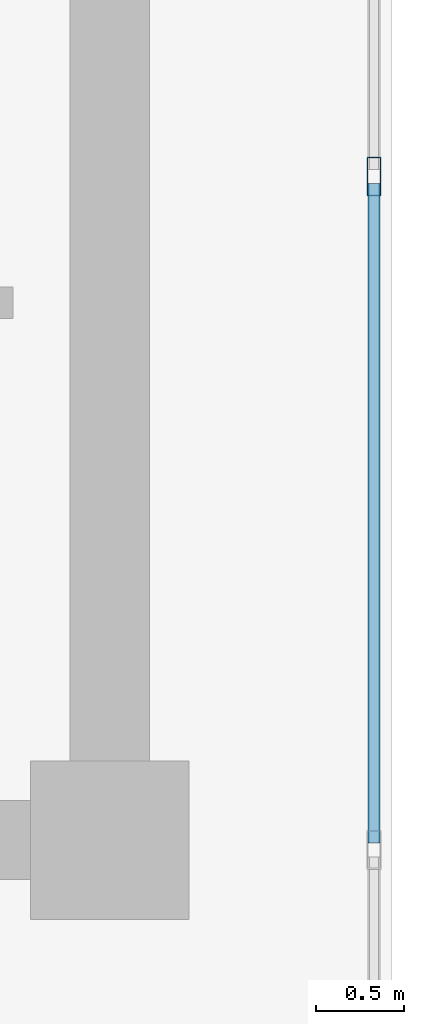
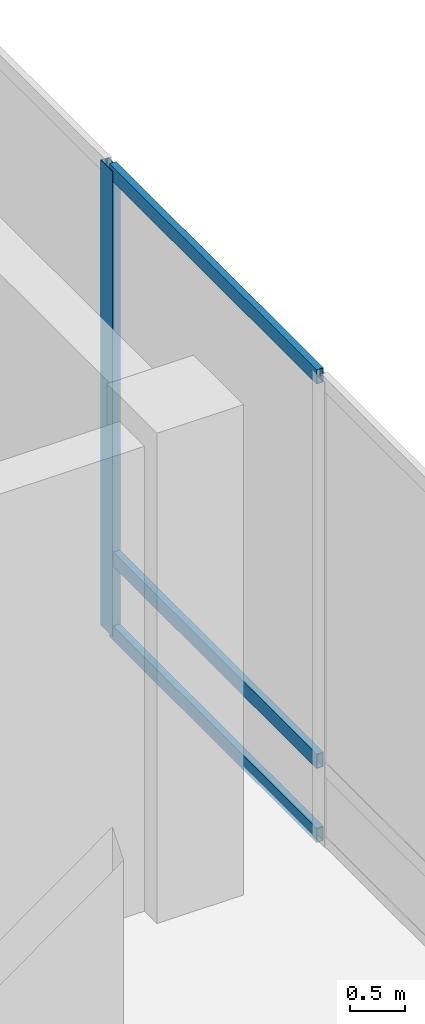
# One storey, part 15 of 30: 4 members, 1 element without a shape of its own.
"""IFC4 building model written with IfcOpenShell, lengths in metres."""

from ifc_helpers import new_model, si_unit, direction, frame, origin, origin_2d, place, context, subcontext, project, spatial, hollow_rectangle, extrude, source, transform, mapped, material, layer, layer_set, material_profile, profile_set, type_object, type_shapes, element, aggregate, save


model = new_model("IFC4")

# Units and contexts
model_context = context("Model", 3, precision=1e-05, world=origin(), true_north=direction((0.0, 1.0)))
body_context = subcontext(model_context, "Body", "Model", "MODEL_VIEW")
ifc_project = project(units=[si_unit("LENGTHUNIT", "METRE"), si_unit("AREAUNIT", "SQUARE_METRE"), si_unit("VOLUMEUNIT", "CUBIC_METRE"), si_unit("PLANEANGLEUNIT", "RADIAN"), si_unit("MASSUNIT", "GRAM", prefix="KILO")], contexts=[model_context])

# Site, building, storey
site_placement = place(None, origin())
site = spatial("IfcSite", under=ifc_project, at=site_placement, CompositionType="ELEMENT")
building_placement = place(site_placement, origin())
building = spatial("IfcBuilding", under=site, at=building_placement, Name="Haelvirn Gate Laboratories", CompositionType="ELEMENT")
storey_placement = place(building_placement, frame((0.0, 0.0, 327.0)))
storey = spatial("IfcBuildingStorey", under=building, at=storey_placement, Name="L78", CompositionType="ELEMENT", Elevation=327.0)

# Curtain wall, members
ifc_material_1 = material(Name="Anodised bronze unitised aluminium & triple low-E glass", Category="aluminium")
ifc_layer = layer(ifc_material_1, 0.19189453125, Name="CW-SYS-6")
ifc_layer_set = layer_set([ifc_layer], Name="Anodised bronze unitised aluminium & triple low-E glass")
curtain_wall_type = type_object("IfcCurtainWallType", Name="CW-SYS-6", PredefinedType="NOTDEFINED", material=ifc_layer_set)
curtain_wall_placement = place(storey_placement, origin())
curtain_wall = element("IfcCurtainWall", 1, at=curtain_wall_placement, inside=storey, type_object=curtain_wall_type, Name="L78 Unitised Curtain Wall CW-L78-P0-E07", PredefinedType="NOTDEFINED")
ifc_material_2 = material(Name="Extruded aluminium 6063-T6 (anodised bronze)", Category="aluminium")
ifc_material_profile_1 = material_profile(ifc_material_2, hollow_rectangle(XDim=0.080078125, YDim=0.219970703125, WallThickness=0.006103515625, at=origin_2d()), Name="CWM-220x80x6")
ifc_profile_set_1 = profile_set([ifc_material_profile_1], Name="Extruded aluminium 6063-T6 (anodised bronze)")
member_type_1 = type_object("IfcMemberType", Name="CWM-T220", PredefinedType="MULLION", material=ifc_profile_set_1)
shared_shape_1 = source(origin(), body_context, "Body", "SweptSolid", [
    extrude(hollow_rectangle(XDim=0.080078125, YDim=0.219970703125, WallThickness=0.006103515625, at=origin_2d()), origin(), (0.0, 0.0, 1.0), 5.1201171875),
])
type_shapes(member_type_1, [shared_shape_1])
member_1_placement = place(storey_placement, frame((68.89990234375, 18.566650390625, 0.0), z_axis=(0.0, 0.0, 1.0), x_axis=(-1.0, 0.0, 0.0)))
member_1 = element("IfcMember", 2, at=member_1_placement, type_object=member_type_1, Name="CW6 mullion 4", PredefinedType="MULLION", context=body_context, shape_type="MappedRepresentation", body=[
    mapped(shared_shape_1, transform((0.0, 0.0, 0.0), scale=1.0)),
])
ifc_material_profile_2 = material_profile(ifc_material_2, hollow_rectangle(XDim=0.070068359375, YDim=0.159912109375, WallThickness=0.0048828125, at=origin_2d()), Name="CWT-160x70x5")
ifc_profile_set_2 = profile_set([ifc_material_profile_2], Name="Extruded aluminium 6063-T6 (anodised bronze)")
member_type_2 = type_object("IfcMemberType", Name="CWT-T160", PredefinedType="USERDEFINED", material=ifc_profile_set_2)
shared_shape_2 = source(origin(), body_context, "Body", "SweptSolid", [
    extrude(hollow_rectangle(XDim=0.070068359375, YDim=0.159912109375, WallThickness=0.0048828125, at=origin_2d()), origin(), (0.0, 0.0, 1.0), 3.7421875),
])
type_shapes(member_type_2, [shared_shape_2])
member_2_placement = place(storey_placement, frame((68.89990234375, 14.784423828125, 0.034912109375), z_axis=(0.0, 1.0, 0.0), x_axis=(-1.0, 0.0, 0.0)))
member_2 = element("IfcMember", 3, at=member_2_placement, type_object=member_type_2, Name="CW6 transom 3.1", ObjectType="TRANSOM", PredefinedType="USERDEFINED", context=body_context, shape_type="MappedRepresentation", body=[
    mapped(shared_shape_2, transform((0.0, 0.0, 0.0), scale=1.0)),
])
member_3_placement = place(storey_placement, frame((68.89990234375, 14.784423828125, 0.85009765625), z_axis=(0.0, 1.0, 0.0), x_axis=(-1.0, 0.0, 0.0)))
member_3 = element("IfcMember", 4, at=member_3_placement, type_object=member_type_2, Name="CW6 transom 3.2", ObjectType="TRANSOM", PredefinedType="USERDEFINED", context=body_context, shape_type="MappedRepresentation", body=[
    mapped(shared_shape_2, transform((0.0, 0.0, 0.0), scale=1.0)),
])
member_4_placement = place(storey_placement, frame((68.89990234375, 14.784423828125, 5.0849609375), z_axis=(0.0, 1.0, 0.0), x_axis=(-1.0, 0.0, 0.0)))
member_4 = element("IfcMember", 5, at=member_4_placement, type_object=member_type_2, Name="CW6 transom 3.3", ObjectType="TRANSOM", PredefinedType="USERDEFINED", context=body_context, shape_type="MappedRepresentation", body=[
    mapped(shared_shape_2, transform((0.0, 0.0, 0.0), scale=1.0)),
])
aggregate(curtain_wall, [member_1, member_2, member_3, member_4])

save(model, "model.ifc")
